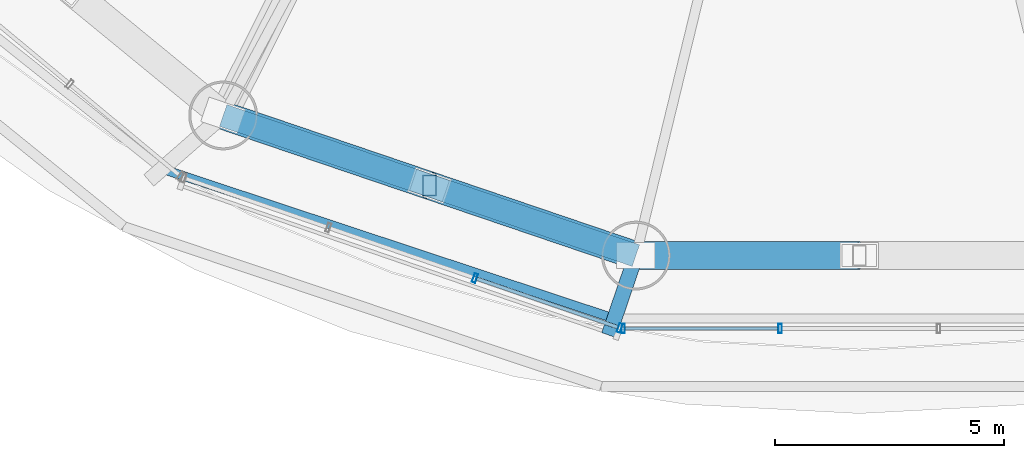
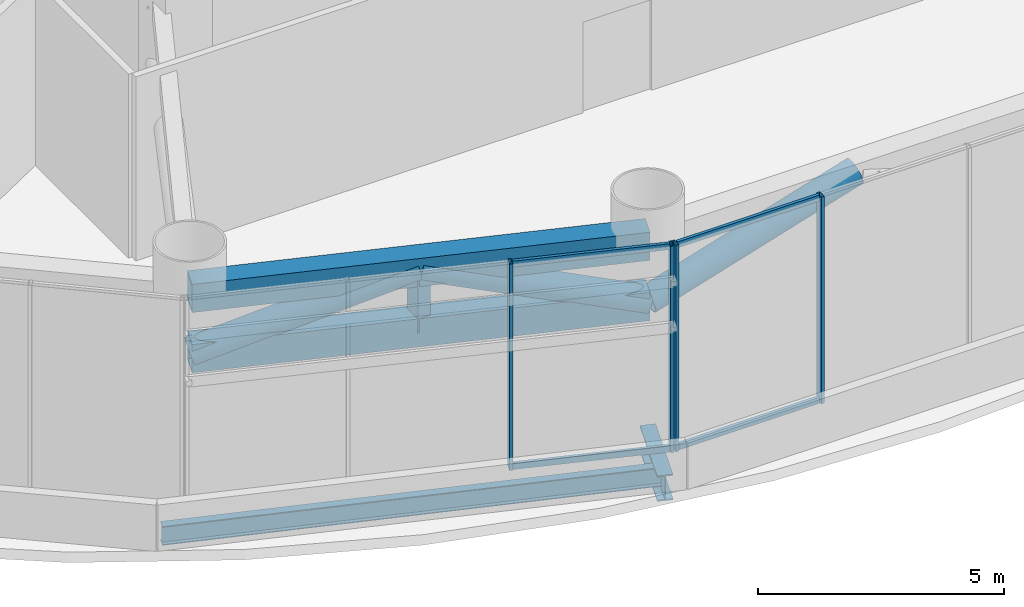
# One storey, part 5 of 33: 14 members, 2 beams, 2 elements without a shape of their own.
"""IFC4 building model written with IfcOpenShell, lengths in metres."""

from ifc_helpers import new_model, si_unit, direction, frame, origin, origin_2d, place, context, subcontext, project, spatial, hollow_rectangle, hollow_circle, i_section, extrude, source, transform, mapped, material, material_profile, profile_set, type_object, element, aggregate, save


model = new_model("IFC4")

# Units and contexts
model_context = context("Model", 3, precision=1e-05, world=origin(), true_north=direction((-0.2419218956, 0.970295726276)))
body_context = subcontext(model_context, "Body", "Model", "MODEL_VIEW")
ifc_project = project(units=[si_unit("LENGTHUNIT", "METRE"), si_unit("AREAUNIT", "SQUARE_METRE"), si_unit("VOLUMEUNIT", "CUBIC_METRE"), si_unit("PLANEANGLEUNIT", "RADIAN"), si_unit("MASSUNIT", "GRAM", prefix="KILO")], contexts=[model_context])

# Site, building, storey
site_placement = place(None, origin())
site = spatial("IfcSite", under=ifc_project, at=site_placement, CompositionType="ELEMENT")
building_placement = place(site_placement, origin())
building = spatial("IfcBuilding", under=site, at=building_placement, Name="Cobrevalo Terracotta Tower", CompositionType="ELEMENT")
storey_placement = place(building_placement, frame((0.0, 0.0, 74.39990234375)))
storey = spatial("IfcBuildingStorey", under=building, at=storey_placement, Name="L19", CompositionType="ELEMENT", Elevation=74.39990234375)

# Beams
ifc_material_1 = material(Name="Steel S355", Category="steel")
ifc_material_profile_1 = material_profile(ifc_material_1, i_section(OverallWidth=0.3291015625, OverallDepth=0.635009765625, WebThickness=0.017822265625, FlangeThickness=0.031005859375, at=origin_2d()), Name="W 610x241")
ifc_profile_set_1 = profile_set([ifc_material_profile_1], Name="Steel S355")
beam_type_1 = type_object("IfcBeamType", Name="Structural Beam W 610x241 (Steel S355)", PredefinedType="BEAM", material=ifc_profile_set_1)
beam_1_placement = place(storey_placement, frame((32.541748046875, 5.01025390625, -0.767333984375), z_axis=(0.322741812578, 0.946487042919, 0.0), x_axis=(-0.946487042919, 0.322741812578, 0.0)))
element("IfcBeam", 1, at=beam_1_placement, inside=storey, type_object=beam_type_1, Name="L19 setback step-link girder 12", PredefinedType="BEAM", context=body_context, shape_type="SweptSolid", body=[
    extrude(i_section(OverallWidth=0.3291015625, OverallDepth=0.635009765625, WebThickness=0.017822265625, FlangeThickness=0.031005859375, at=origin_2d()), origin(), (0.0, 0.0, 1.0), 1.83056640625),
])
ifc_material_profile_2 = material_profile(ifc_material_1, i_section(OverallWidth=0.194091796875, OverallDepth=0.468994140625, WebThickness=0.011474609375, FlangeThickness=0.0205078125, at=origin_2d()), Name="W 460x106")
ifc_profile_set_2 = profile_set([ifc_material_profile_2], Name="Steel S355")
beam_type_2 = type_object("IfcBeamType", Name="Structural Spandrel W 460x106 (Steel S355)", PredefinedType="SPANDREL", material=ifc_profile_set_2)
beam_2_placement = place(storey_placement, frame((22.80517578125, 8.63232421875, -0.684326171875), z_axis=(0.949372202648, -0.314153498848, 0.0), x_axis=(0.314153498848, 0.949372202648, 0.0)))
element("IfcBeam", 2, at=beam_2_placement, inside=storey, type_object=beam_type_2, Name="L19 perimeter ring spandrel 11", PredefinedType="SPANDREL", context=body_context, shape_type="SweptSolid", body=[
    extrude(i_section(OverallWidth=0.194091796875, OverallDepth=0.468994140625, WebThickness=0.011474609375, FlangeThickness=0.0205078125, at=origin_2d()), origin(), (0.0, 0.0, 1.0), 10.385009765625),
])

# Members
ifc_material_profile_3 = material_profile(ifc_material_1, hollow_rectangle(XDim=0.300048828125, YDim=0.449951171875, WallThickness=0.02001953125, at=origin_2d()), Name="RHS 450x300x20")
ifc_profile_set_3 = profile_set([ifc_material_profile_3], Name="Steel S355")
member_type_1 = type_object("IfcMemberType", Name="Steel Post RHS 450x300x20 (Steel S355)", PredefinedType="POST", material=ifc_profile_set_3)
shared_shape_1 = source(origin(), body_context, "Body", "SweptSolid", [
    extrude(hollow_rectangle(XDim=0.300048828125, YDim=0.449951171875, WallThickness=0.02001953125, at=origin_2d()), origin(), (0.0, 0.0, 1.0), 1.494873046875),
])
member_1_placement = place(storey_placement, frame((28.635498046875, 8.269775390625, 2.650146484375), z_axis=(0.0, 0.0, 1.0), x_axis=(1.0, 0.0, 0.0)))
element("IfcMember", 3, at=member_1_placement, inside=storey, type_object=member_type_1, Name="L19 belt truss post 11", PredefinedType="POST", context=body_context, shape_type="MappedRepresentation", body=[
    mapped(shared_shape_1, transform((0.0, 0.0, 0.0), scale=1.0)),
])
ifc_material_profile_4 = material_profile(ifc_material_1, hollow_rectangle(XDim=0.5, YDim=0.699951171875, WallThickness=0.031982421875, at=origin_2d()), Name="RHS 700x500x32")
ifc_profile_set_4 = profile_set([ifc_material_profile_4], Name="Steel S355")
member_type_2 = type_object("IfcMemberType", Name="Steel Chord RHS 700x500x32 (Steel S355)", PredefinedType="CHORD", material=ifc_profile_set_4)
shared_shape_2 = source(origin(), body_context, "Body", "SweptSolid", [
    extrude(hollow_rectangle(XDim=0.5, YDim=0.699951171875, WallThickness=0.031982421875, at=origin_2d()), origin(), (0.0, 0.0, 1.0), 9.498291015625),
])
for number, where, z_axis, x_axis, name in (
    (4, (24.138427734375, 9.79638671875, 2.650146484375), (0.94691835344, -0.321474154356, 0.0), (0.321474154356, 0.94691835344, 0.0), "L19 belt truss chord 11-BC"),
    (5, (24.138427734375, 9.79638671875, 4.14501953125), (0.94691835344, -0.321474154356, 0.0), (0.321474154356, 0.94691835344, 0.0), "L19 belt truss chord 11-TC"),
):
    element("IfcMember", number, at=place(storey_placement, frame(where, z_axis=z_axis, x_axis=x_axis)), inside=storey, type_object=member_type_2, Name=name, PredefinedType="CHORD", context=body_context, shape_type="MappedRepresentation", body=[
        mapped(shared_shape_2, transform((0.0, 0.0, 0.0), scale=1.0)),
    ])
ifc_material_profile_5 = material_profile(ifc_material_1, hollow_circle(Radius=0.304931640625, WallThickness=0.02490234375, at=origin_2d()), Name="CHS 610x25")
ifc_profile_set_5 = profile_set([ifc_material_profile_5], Name="Steel S355")
member_type_3 = type_object("IfcMemberType", Name="Steel Brace CHS 610x25 (Steel S355)", PredefinedType="BRACE", material=ifc_profile_set_5)
shared_shape_3 = source(origin(), body_context, "Body", "SweptSolid", [
    extrude(hollow_circle(Radius=0.304931640625, WallThickness=0.02490234375, at=origin_2d()), origin(), (0.0, 0.0, 1.0), 4.97900390625),
])
member_2_placement = place(storey_placement, frame((33.132568359375, 6.742919921875, 2.650146484375), z_axis=(-0.903223320473, 0.30666442162, 0.300240846431), x_axis=(-0.32149720126, -0.946910528816, 0.0)))
element("IfcMember", 6, at=member_2_placement, inside=storey, type_object=member_type_3, Name="L19 belt truss diagonal brace 11-D2", PredefinedType="BRACE", context=body_context, shape_type="MappedRepresentation", body=[
    mapped(shared_shape_3, transform((0.0, 0.0, 0.0), scale=1.0)),
])
shared_shape_4 = source(origin(), body_context, "Body", "SweptSolid", [
    extrude(hollow_circle(Radius=0.304931640625, WallThickness=0.02490234375, at=origin_2d()), origin(), (0.0, 0.0, 1.0), 5.091796875),
])
member_3_placement = place(storey_placement, frame((33.132568359375, 6.742919921875, 2.650146484375), z_axis=(0.955933346232, 0.0, 0.293583782865), x_axis=(0.0, 1.0, 0.0)))
element("IfcMember", 7, at=member_3_placement, inside=storey, type_object=member_type_3, Name="L19 belt truss diagonal brace 12-D1", PredefinedType="BRACE", context=body_context, shape_type="MappedRepresentation", body=[
    mapped(shared_shape_4, transform((0.0, 0.0, 0.0), scale=1.0)),
])
shared_shape_5 = source(origin(), body_context, "Body", "SweptSolid", [
    extrude(hollow_circle(Radius=0.304931640625, WallThickness=0.02490234375, at=origin_2d()), origin(), (0.0, 0.0, 1.0), 4.978759765625),
])
member_4_placement = place(storey_placement, frame((24.138427734375, 9.79638671875, 2.650146484375), z_axis=(0.903236901704, -0.306619997088, 0.300245360974), x_axis=(0.32145110688, 0.946926177632, 0.0)))
element("IfcMember", 8, at=member_4_placement, inside=storey, type_object=member_type_3, Name="L19 belt truss diagonal brace 11-D1", PredefinedType="BRACE", context=body_context, shape_type="MappedRepresentation", body=[
    mapped(shared_shape_5, transform((0.0, 0.0, 0.0), scale=1.0)),
])

# Curtain wall, members
ifc_material_2 = material(Name="Anodized aluminium", Category="aluminium")
curtain_wall_type = type_object("IfcCurtainWallType", Name="Belt-truss plant acoustic weather-louvre curtain wall CW-LV", PredefinedType="NOTDEFINED", material=ifc_material_2)
curtain_wall_1_placement = place(storey_placement, origin())
curtain_wall_1 = element("IfcCurtainWall", 9, at=curtain_wall_1_placement, inside=storey, type_object=curtain_wall_type, Name="L19 curtain wall CW-LV-L19-S11", PredefinedType="NOTDEFINED")
ifc_material_profile_6 = material_profile(ifc_material_2, hollow_rectangle(XDim=0.074951171875, YDim=0.199951171875, WallThickness=0.0048828125, at=origin_2d()), Name="CWM 75x200")
ifc_profile_set_6 = profile_set([ifc_material_profile_6], Name="Anodized aluminium")
member_type_4 = type_object("IfcMemberType", Name="Lower/mid tower unitised mullion 75x200", PredefinedType="MULLION", material=ifc_profile_set_6)
shared_shape_6 = source(origin(), body_context, "Body", "SweptSolid", [
    extrude(hollow_rectangle(XDim=0.074951171875, YDim=0.199951171875, WallThickness=0.0048828125, at=origin_2d()), origin(), (0.0, 0.0, 1.0), 5.125),
])
member_5_placement = place(storey_placement, frame((29.623779296875, 6.25244140625, 0.0), z_axis=(0.0, 0.0, 1.0), x_axis=(0.94559809868, -0.325337110968, 0.0)))
member_5 = element("IfcMember", 10, at=member_5_placement, type_object=member_type_4, Name="CW-LV-L19-S11 vertical mullion 03", PredefinedType="MULLION", context=body_context, shape_type="MappedRepresentation", body=[
    mapped(shared_shape_6, transform((0.0, 0.0, 0.0), scale=1.0)),
])
member_6_placement = place(storey_placement, frame((32.778564453125, 5.1669921875, 0.0), z_axis=(0.0, 0.0, 1.0), x_axis=(0.94559809868, -0.325337110968, 0.0)))
member_6 = element("IfcMember", 11, at=member_6_placement, type_object=member_type_4, Name="CW-LV-L19-S11 vertical mullion 04", PredefinedType="MULLION", context=body_context, shape_type="MappedRepresentation", body=[
    mapped(shared_shape_6, transform((0.0, 0.0, 0.0), scale=1.0)),
])

curtain_wall_2_placement = place(storey_placement, origin())
curtain_wall_2 = element("IfcCurtainWall", 12, at=curtain_wall_2_placement, inside=storey, type_object=curtain_wall_type, Name="L19 curtain wall CW-LV-L19-S12", PredefinedType="NOTDEFINED")
member_7_placement = place(storey_placement, frame((32.8564453125, 5.154052734375, 0.0), z_axis=(0.0, 0.0, 1.0), x_axis=(1.0, 0.0, 0.0)))
member_7 = element("IfcMember", 13, at=member_7_placement, type_object=member_type_4, Name="CW-LV-L19-S12 vertical mullion 01", PredefinedType="MULLION", context=body_context, shape_type="MappedRepresentation", body=[
    mapped(shared_shape_6, transform((0.0, 0.0, 0.0), scale=1.0)),
])
member_8_placement = place(storey_placement, frame((36.272216796875, 5.154052734375, 0.0), z_axis=(0.0, 0.0, 1.0), x_axis=(1.0, 0.0, 0.0)))
member_8 = element("IfcMember", 14, at=member_8_placement, type_object=member_type_4, Name="CW-LV-L19-S12 vertical mullion 02", PredefinedType="MULLION", context=body_context, shape_type="MappedRepresentation", body=[
    mapped(shared_shape_6, transform((0.0, 0.0, 0.0), scale=1.0)),
])

# Member
ifc_material_profile_7 = material_profile(ifc_material_2, hollow_rectangle(XDim=0.074951171875, YDim=0.14990234375, WallThickness=0.00439453125, at=origin_2d()), Name="CWT 75x150")
ifc_profile_set_7 = profile_set([ifc_material_profile_7], Name="Anodized aluminium")
member_type_5 = type_object("IfcMemberType", Name="Tower unitised aluminium transom 75x150", PredefinedType="USERDEFINED", material=ifc_profile_set_7)
shared_shape_7 = source(origin(), body_context, "Body", "SweptSolid", [
    extrude(hollow_rectangle(XDim=0.074951171875, YDim=0.14990234375, WallThickness=0.00439453125, at=origin_2d()), origin(), (0.0, 0.0, 1.0), 3.25634765625),
])
member_9_placement = place(storey_placement, frame((29.66162109375, 6.239501953125, 0.050048828125), z_axis=(0.945603013523, -0.325322825537, 0.0), x_axis=(0.325322825537, 0.945603013523, 0.0)))
member_9 = element("IfcMember", 15, at=member_9_placement, type_object=member_type_5, Name="CW-LV-L19-S11 transom B03-T1", ObjectType="TRANSOM", PredefinedType="USERDEFINED", context=body_context, shape_type="MappedRepresentation", body=[
    mapped(shared_shape_7, transform((0.0, 0.0, 0.0), scale=1.0)),
])

member_10_placement = place(storey_placement, frame((29.66162109375, 6.239501953125, 5.0751953125), z_axis=(0.945603013523, -0.325322825537, 0.0), x_axis=(0.325322825537, 0.945603013523, 0.0)))
member_10 = element("IfcMember", 16, at=member_10_placement, type_object=member_type_5, Name="CW-LV-L19-S11 transom B03-T2", ObjectType="TRANSOM", PredefinedType="USERDEFINED", context=body_context, shape_type="MappedRepresentation", body=[
    mapped(shared_shape_7, transform((0.0, 0.0, 0.0), scale=1.0)),
])

aggregate(curtain_wall_1, [member_5, member_6, member_9, member_10])

shared_shape_8 = source(origin(), body_context, "Body", "SweptSolid", [
    extrude(hollow_rectangle(XDim=0.074951171875, YDim=0.14990234375, WallThickness=0.00439453125, at=origin_2d()), origin(), (0.0, 0.0, 1.0), 3.335693359375),
])
member_11_placement = place(storey_placement, frame((32.896484375, 5.154052734375, 0.050048828125), z_axis=(1.0, 0.0, 0.0), x_axis=(0.0, 1.0, 0.0)))
member_11 = element("IfcMember", 17, at=member_11_placement, type_object=member_type_5, Name="CW-LV-L19-S12 transom B01-T1", ObjectType="TRANSOM", PredefinedType="USERDEFINED", context=body_context, shape_type="MappedRepresentation", body=[
    mapped(shared_shape_8, transform((0.0, 0.0, 0.0), scale=1.0)),
])

member_12_placement = place(storey_placement, frame((32.896484375, 5.154052734375, 5.0751953125), z_axis=(1.0, 0.0, 0.0), x_axis=(0.0, 1.0, 0.0)))
member_12 = element("IfcMember", 18, at=member_12_placement, type_object=member_type_5, Name="CW-LV-L19-S12 transom B01-T2", ObjectType="TRANSOM", PredefinedType="USERDEFINED", context=body_context, shape_type="MappedRepresentation", body=[
    mapped(shared_shape_8, transform((0.0, 0.0, 0.0), scale=1.0)),
])

aggregate(curtain_wall_2, [member_7, member_8, member_11, member_12])

save(model, "model.ifc")
